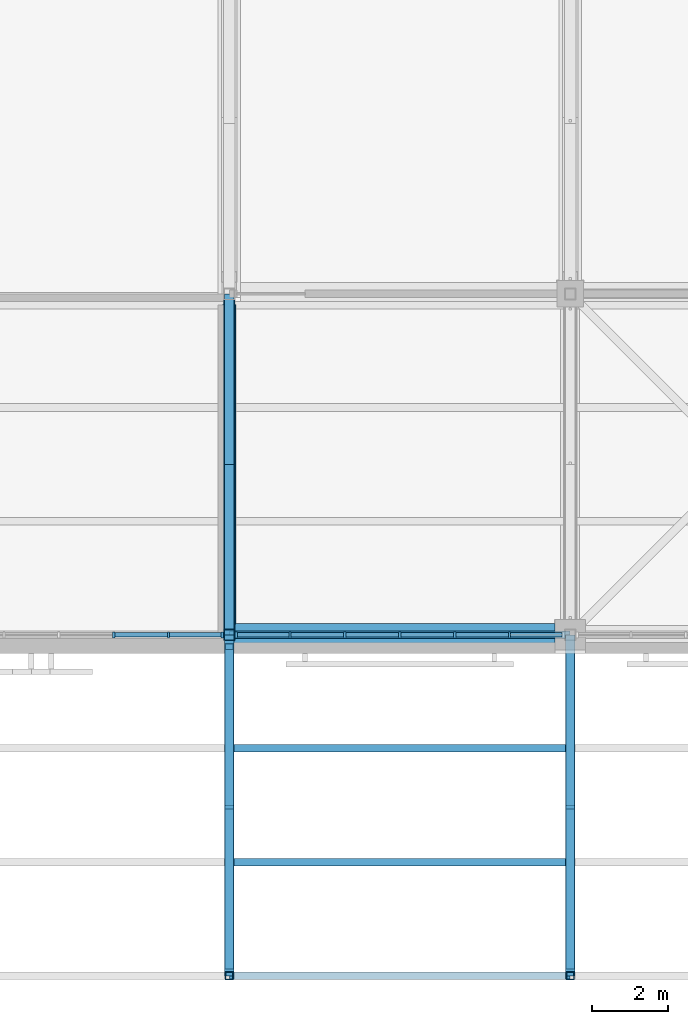
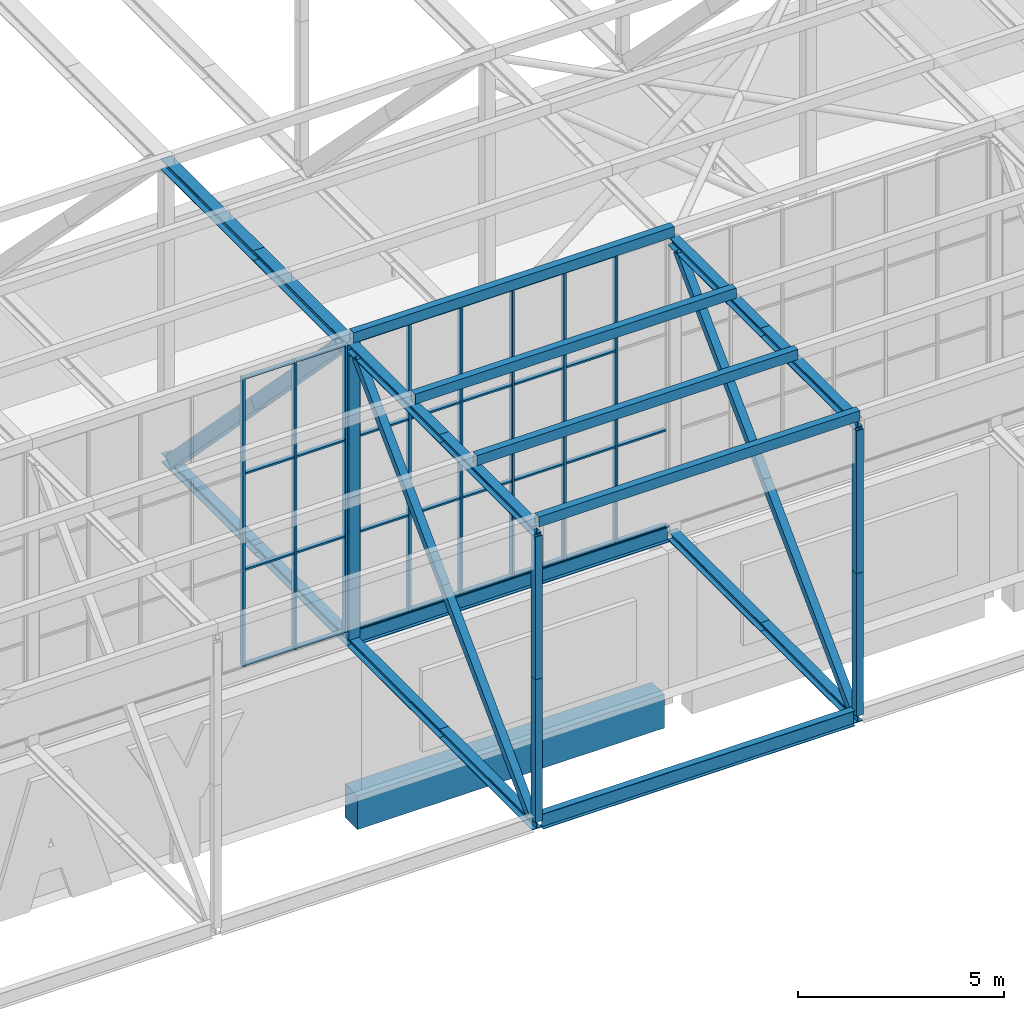
# One storey, part 32 of 646: 67 members, 3 beams, 2 elements without a shape of their own.
"""IFC4 building model written with IfcOpenShell, lengths in metres."""

from ifc_helpers import new_model, si_unit, direction, frame, origin, origin_2d, place, context, subcontext, project, spatial, rectangle, hollow_rectangle, i_section, extrude, material, material_profile, profile_set, type_object, element, aggregate, save


model = new_model("IFC4")

# Units and contexts
model_context = context("Model", 3, precision=1e-05, world=origin(), true_north=direction((0.0, 1.0)))
body_context = subcontext(model_context, "Body", "Model", "MODEL_VIEW")
ifc_project = project(units=[si_unit("LENGTHUNIT", "METRE"), si_unit("AREAUNIT", "SQUARE_METRE"), si_unit("VOLUMEUNIT", "CUBIC_METRE"), si_unit("PLANEANGLEUNIT", "RADIAN"), si_unit("MASSUNIT", "GRAM", prefix="KILO")], contexts=[model_context])

# Site, building, storey
site_placement = place(None, origin())
site = spatial("IfcSite", under=ifc_project, at=site_placement, CompositionType="ELEMENT")
building_placement = place(site_placement, origin())
building = spatial("IfcBuilding", under=site, at=building_placement, Name="Silverbay Arena", CompositionType="ELEMENT")
storey_placement = place(building_placement, frame((0.0, 0.0, 33.5)))
storey = spatial("IfcBuildingStorey", under=building, at=storey_placement, Name="L05", CompositionType="ELEMENT", Elevation=33.5)

# Members
ifc_material_1 = material(Name="Steel S355", Category="steel")
ifc_material_profile_1 = material_profile(ifc_material_1, i_section(OverallWidth=0.2587890625, OverallDepth=0.2666015625, WebThickness=0.0126953125, FlangeThickness=0.0205078125, at=origin_2d()), Name="UC 254x254x107")
ifc_profile_set_1 = profile_set([ifc_material_profile_1], Name="Steel S355")
member_type_1 = type_object("IfcMemberType", Name="Main-span bottom chord UC 254x254x107", PredefinedType="CHORD", material=ifc_profile_set_1)
for number, where, z_axis, x_axis, name in (
    (1, (117.0, 9.0, 4.13330078125), (0.0, 1.0, 0.0), (-1.0, 0.0, 0.0), "ROOF TRUSS 14 bottom chord 01a"),
    (2, (117.0, 13.5, 4.13330078125), (0.0, 1.0, 0.0), (-1.0, 0.0, 0.0), "ROOF TRUSS 14 bottom chord 01b"),
    (3, (117.0, 18.0, 4.13330078125), (0.0, 1.0, 0.0), (-1.0, 0.0, 0.0), "ROOF TRUSS 14 bottom chord 02a"),
    (4, (117.0, 22.5, 4.13330078125), (0.0, 1.0, 0.0), (-1.0, 0.0, 0.0), "ROOF TRUSS 14 bottom chord 02b"),
    (5, (126.0, 9.0, 4.13330078125), (0.0, 1.0, 0.0), (-1.0, 0.0, 0.0), "ROOF TRUSS 15 bottom chord 01a"),
    (6, (126.0, 13.5, 4.13330078125), (0.0, 1.0, 0.0), (-1.0, 0.0, 0.0), "ROOF TRUSS 15 bottom chord 01b"),
):
    element("IfcMember", number, at=place(storey_placement, frame(where, z_axis=z_axis, x_axis=x_axis)), inside=storey, type_object=member_type_1, Name=name, PredefinedType="CHORD", context=body_context, shape_type="SweptSolid", body=[
        extrude(i_section(OverallWidth=0.2587890625, OverallDepth=0.2666015625, WebThickness=0.0126953125, FlangeThickness=0.0205078125, at=origin_2d()), origin(), (0.0, 0.0, 1.0), 4.5),
    ])
ifc_material_2 = material(Name="Steel S355", Category="steel")
ifc_material_profile_2 = material_profile(ifc_material_2, i_section(OverallWidth=0.2587890625, OverallDepth=0.2666015625, WebThickness=0.0126953125, FlangeThickness=0.0205078125, at=origin_2d()), Name="UC 254x254x107")
ifc_profile_set_2 = profile_set([ifc_material_profile_2], Name="Steel S355")
member_type_2 = type_object("IfcMemberType", Name="Main-span top chord UC 254x254x107", PredefinedType="CHORD", material=ifc_profile_set_2)
for number, where, z_axis, x_axis, name in (
    (7, (117.0, 9.0, 12.86669921875), (0.0, 1.0, 0.0), (-1.0, 0.0, 0.0), "ROOF TRUSS 14 top chord 01a"),
    (8, (117.0, 13.5, 12.86669921875), (0.0, 1.0, 0.0), (-1.0, 0.0, 0.0), "ROOF TRUSS 14 top chord 01b"),
    (9, (126.0, 9.0, 12.86669921875), (0.0, 1.0, 0.0), (-1.0, 0.0, 0.0), "ROOF TRUSS 15 top chord 01a"),
    (10, (126.0, 13.5, 12.86669921875), (0.0, 1.0, 0.0), (-1.0, 0.0, 0.0), "ROOF TRUSS 15 top chord 01b"),
):
    element("IfcMember", number, at=place(storey_placement, frame(where, z_axis=z_axis, x_axis=x_axis)), inside=storey, type_object=member_type_2, Name=name, PredefinedType="CHORD", context=body_context, shape_type="SweptSolid", body=[
        extrude(i_section(OverallWidth=0.2587890625, OverallDepth=0.2666015625, WebThickness=0.0126953125, FlangeThickness=0.0205078125, at=origin_2d()), origin(), (0.0, 0.0, 1.0), 4.5),
    ])
ifc_material_3 = material(Name="Steel S355", Category="steel")
ifc_material_profile_3 = material_profile(ifc_material_3, i_section(OverallWidth=0.307373046875, OverallDepth=0.314453125, WebThickness=0.011962890625, FlangeThickness=0.018798828125, at=origin_2d()), Name="UC 305x305x118")
ifc_profile_set_3 = profile_set([ifc_material_profile_3], Name="Steel S355")
member_type_3 = type_object("IfcMemberType", Name="Main-span top chord UC 305x305x118", PredefinedType="CHORD", material=ifc_profile_set_3)
for number, where, z_axis, x_axis, name in (
    (11, (117.0, 18.0, 12.8427734375), (0.0, 1.0, 0.0), (-1.0, 0.0, 0.0), "ROOF TRUSS 14 top chord 02a"),
    (12, (117.0, 22.5, 12.8427734375), (0.0, 1.0, 0.0), (-1.0, 0.0, 0.0), "ROOF TRUSS 14 top chord 02b"),
):
    element("IfcMember", number, at=place(storey_placement, frame(where, z_axis=z_axis, x_axis=x_axis)), inside=storey, type_object=member_type_3, Name=name, PredefinedType="CHORD", context=body_context, shape_type="SweptSolid", body=[
        extrude(i_section(OverallWidth=0.307373046875, OverallDepth=0.314453125, WebThickness=0.011962890625, FlangeThickness=0.018798828125, at=origin_2d()), origin(), (0.0, 0.0, 1.0), 4.5),
    ])
ifc_material_4 = material(Name="Steel S355", Category="steel")
ifc_material_profile_4 = material_profile(ifc_material_4, hollow_rectangle(XDim=0.219970703125, YDim=0.219970703125, WallThickness=0.008056640625, at=origin_2d()), Name="SHS 220x220x8")
ifc_profile_set_4 = profile_set([ifc_material_profile_4], Name="Steel S355")
member_type_4 = type_object("IfcMemberType", Name="Main-span truss diagonal SHS 220x220x8", PredefinedType="BRACE", material=ifc_profile_set_4)
member_1_placement = place(storey_placement, frame((117.0, 17.689453125, 12.7333984375), z_axis=(0.0, -0.70551102507, -0.708698944196), x_axis=(1.0, 0.0, 0.0)))
element("IfcMember", 13, at=member_1_placement, inside=storey, type_object=member_type_4, Name="ROOF TRUSS 14 diagonal 01a", PredefinedType="BRACE", context=body_context, shape_type="SweptSolid", body=[
    extrude(hollow_rectangle(XDim=0.219970703125, YDim=0.219970703125, WallThickness=0.008056640625, at=origin_2d()), origin(), (0.0, 0.0, 1.0), 5.973388671875),
])
member_2_placement = place(storey_placement, frame((117.0, 13.47509765625, 8.5), z_axis=(0.0, -0.705531551692, -0.708678509317), x_axis=(1.0, 0.0, 0.0)))
element("IfcMember", 14, at=member_2_placement, inside=storey, type_object=member_type_4, Name="ROOF TRUSS 14 diagonal 01b", PredefinedType="BRACE", context=body_context, shape_type="SweptSolid", body=[
    extrude(hollow_rectangle(XDim=0.219970703125, YDim=0.219970703125, WallThickness=0.008056640625, at=origin_2d()), origin(), (0.0, 0.0, 1.0), 5.9736328125),
])
member_3_placement = place(storey_placement, frame((126.0, 17.689453125, 12.7333984375), z_axis=(0.0, -0.70551102507, -0.708698944196), x_axis=(1.0, 0.0, 0.0)))
element("IfcMember", 15, at=member_3_placement, inside=storey, type_object=member_type_4, Name="ROOF TRUSS 15 diagonal 01a", PredefinedType="BRACE", context=body_context, shape_type="SweptSolid", body=[
    extrude(hollow_rectangle(XDim=0.219970703125, YDim=0.219970703125, WallThickness=0.008056640625, at=origin_2d()), origin(), (0.0, 0.0, 1.0), 5.973388671875),
])
member_4_placement = place(storey_placement, frame((126.0, 13.47509765625, 8.5), z_axis=(0.0, -0.705531551692, -0.708678509317), x_axis=(1.0, 0.0, 0.0)))
element("IfcMember", 16, at=member_4_placement, inside=storey, type_object=member_type_4, Name="ROOF TRUSS 15 diagonal 01b", PredefinedType="BRACE", context=body_context, shape_type="SweptSolid", body=[
    extrude(hollow_rectangle(XDim=0.219970703125, YDim=0.219970703125, WallThickness=0.008056640625, at=origin_2d()), origin(), (0.0, 0.0, 1.0), 5.9736328125),
])
ifc_material_5 = material(Name="Steel S355", Category="steel")
ifc_material_profile_5 = material_profile(ifc_material_5, hollow_rectangle(XDim=0.35009765625, YDim=0.35009765625, WallThickness=0.01611328125, at=origin_2d()), Name="SHS 350x350x16")
ifc_profile_set_5 = profile_set([ifc_material_profile_5], Name="Steel S355")
member_type_5 = type_object("IfcMemberType", Name="Main-span truss diagonal SHS 350x350x16", PredefinedType="BRACE", material=ifc_profile_set_5)
for number, where, z_axis, x_axis, name in (
    (17, (117.0, 18.40625, 12.685546875), (0.0, 0.697184071327, -0.716892161129), (-1.0, 0.0, 0.0), "ROOF TRUSS 14 diagonal 02a"),
    (18, (117.0, 22.5, 8.47607421875), (0.0, 0.697184071327, -0.716892161129), (-1.0, 0.0, 0.0), "ROOF TRUSS 14 diagonal 02b"),
):
    element("IfcMember", number, at=place(storey_placement, frame(where, z_axis=z_axis, x_axis=x_axis)), inside=storey, type_object=member_type_5, Name=name, PredefinedType="BRACE", context=body_context, shape_type="SweptSolid", body=[
        extrude(hollow_rectangle(XDim=0.35009765625, YDim=0.35009765625, WallThickness=0.01611328125, at=origin_2d()), origin(), (0.0, 0.0, 1.0), 5.871826171875),
    ])
ifc_material_6 = material(Name="Steel S355", Category="steel")
ifc_material_profile_6 = material_profile(ifc_material_6, hollow_rectangle(XDim=0.199951171875, YDim=0.199951171875, WallThickness=0.008056640625, at=origin_2d()), Name="SHS 200x200x8")
ifc_profile_set_6 = profile_set([ifc_material_profile_6], Name="Steel S355")
member_type_6 = type_object("IfcMemberType", Name="Main-span truss vertical SHS 200x200x8", PredefinedType="STRUT", material=ifc_profile_set_6)
for number, where, z_axis, x_axis, name in (
    (19, (117.0, 9.0, 4.2666015625), (0.0, 0.0, 1.0), (1.0, 0.0, 0.0), "ROOF TRUSS 14 vertical 01a"),
    (20, (117.0, 9.0, 8.5), (0.0, 0.0, 1.0), (1.0, 0.0, 0.0), "ROOF TRUSS 14 vertical 01b"),
    (21, (126.0, 9.0, 4.2666015625), (0.0, 0.0, 1.0), (1.0, 0.0, 0.0), "ROOF TRUSS 15 vertical 01a"),
    (22, (126.0, 9.0, 8.5), (0.0, 0.0, 1.0), (1.0, 0.0, 0.0), "ROOF TRUSS 15 vertical 01b"),
):
    element("IfcMember", number, at=place(storey_placement, frame(where, z_axis=z_axis, x_axis=x_axis)), inside=storey, type_object=member_type_6, Name=name, PredefinedType="STRUT", context=body_context, shape_type="SweptSolid", body=[
        extrude(hollow_rectangle(XDim=0.199951171875, YDim=0.199951171875, WallThickness=0.008056640625, at=origin_2d()), origin(), (0.0, 0.0, 1.0), 4.2333984375),
    ])
ifc_material_7 = material(Name="Steel S355", Category="steel")
ifc_material_profile_7 = material_profile(ifc_material_7, hollow_rectangle(XDim=0.300048828125, YDim=0.300048828125, WallThickness=0.012451171875, at=origin_2d()), Name="SHS 300x300x12.5")
ifc_profile_set_7 = profile_set([ifc_material_profile_7], Name="Steel S355")
member_type_7 = type_object("IfcMemberType", Name="Main-span truss vertical SHS 300x300x12.5", PredefinedType="STRUT", material=ifc_profile_set_7)
for number, where, z_axis, x_axis, name in (
    (23, (117.0, 18.0, 4.2666015625), (0.0, 0.0, 1.0), (1.0, 0.0, 0.0), "ROOF TRUSS 14 vertical 02a"),
    (24, (117.0, 18.0, 8.47607421875), (0.0, 0.0, 1.0), (1.0, 0.0, 0.0), "ROOF TRUSS 14 vertical 02b"),
):
    element("IfcMember", number, at=place(storey_placement, frame(where, z_axis=z_axis, x_axis=x_axis)), inside=storey, type_object=member_type_7, Name=name, PredefinedType="STRUT", context=body_context, shape_type="SweptSolid", body=[
        extrude(hollow_rectangle(XDim=0.300048828125, YDim=0.300048828125, WallThickness=0.012451171875, at=origin_2d()), origin(), (0.0, 0.0, 1.0), 4.20947265625),
    ])

# Curtain wall, members
ifc_material_8 = material(Name="Aluminium framed glazing", Category="aluminium")
curtain_wall_type = type_object("IfcCurtainWallType", Name="Curtain wall clerestory 8693 x 8540", PredefinedType="NOTDEFINED", material=ifc_material_8)
curtain_wall_1_placement = place(storey_placement, origin())
curtain_wall_1 = element("IfcCurtainWall", 25, at=curtain_wall_1_placement, inside=storey, type_object=curtain_wall_type, Name="ROOF CLERESTORY CURTAIN WALL south bay 07", PredefinedType="NOTDEFINED")
ifc_material_9 = material(Name="Aluminium", Category="aluminium")
ifc_material_profile_8 = material_profile(ifc_material_9, rectangle(XDim=0.159912109375, YDim=0.06005859375, at=origin_2d()), Name="Mullion 60 x 160")
ifc_profile_set_8 = profile_set([ifc_material_profile_8], Name="Aluminium")
member_type_8 = type_object("IfcMemberType", Name="Mullion 60 x 160", PredefinedType="MULLION", material=ifc_profile_set_8)
member_5_placement = place(storey_placement, frame((113.94873046875, 18.0, 4.4599609375), z_axis=(0.0, 0.0, 1.0), x_axis=(0.0, 1.0, 0.0)))
member_5 = element("IfcMember", 26, at=member_5_placement, type_object=member_type_8, Name="CW55 mullion 5", PredefinedType="MULLION", context=body_context, shape_type="SweptSolid", body=[
    extrude(rectangle(XDim=0.159912109375, YDim=0.06005859375, at=origin_2d()), origin(), (0.0, 0.0, 1.0), 8.5400390625),
])
member_6_placement = place(storey_placement, frame((115.3974609375, 18.0, 4.4599609375), z_axis=(0.0, 0.0, 1.0), x_axis=(0.0, 1.0, 0.0)))
member_6 = element("IfcMember", 27, at=member_6_placement, type_object=member_type_8, Name="CW55 mullion 6", PredefinedType="MULLION", context=body_context, shape_type="SweptSolid", body=[
    extrude(rectangle(XDim=0.159912109375, YDim=0.06005859375, at=origin_2d()), origin(), (0.0, 0.0, 1.0), 8.5400390625),
])
member_7_placement = place(storey_placement, frame((116.81640625, 18.0, 4.4599609375), z_axis=(0.0, 0.0, 1.0), x_axis=(0.0, 1.0, 0.0)))
member_7 = element("IfcMember", 28, at=member_7_placement, type_object=member_type_8, Name="CW55 mullion 7", PredefinedType="MULLION", context=body_context, shape_type="SweptSolid", body=[
    extrude(rectangle(XDim=0.159912109375, YDim=0.06005859375, at=origin_2d()), origin(), (0.0, 0.0, 1.0), 8.5400390625),
])

curtain_wall_2_placement = place(storey_placement, origin())
curtain_wall_2 = element("IfcCurtainWall", 29, at=curtain_wall_2_placement, inside=storey, type_object=curtain_wall_type, Name="ROOF CLERESTORY CURTAIN WALL south bay 08", PredefinedType="NOTDEFINED")
member_8_placement = place(storey_placement, frame((117.18359375, 18.0, 4.4599609375), z_axis=(0.0, 0.0, 1.0), x_axis=(0.0, 1.0, 0.0)))
member_8 = element("IfcMember", 30, at=member_8_placement, type_object=member_type_8, Name="CW55 mullion 1", PredefinedType="MULLION", context=body_context, shape_type="SweptSolid", body=[
    extrude(rectangle(XDim=0.159912109375, YDim=0.06005859375, at=origin_2d()), origin(), (0.0, 0.0, 1.0), 8.5400390625),
])
member_9_placement = place(storey_placement, frame((118.6025390625, 18.0, 4.4599609375), z_axis=(0.0, 0.0, 1.0), x_axis=(0.0, 1.0, 0.0)))
member_9 = element("IfcMember", 31, at=member_9_placement, type_object=member_type_8, Name="CW55 mullion 2", PredefinedType="MULLION", context=body_context, shape_type="SweptSolid", body=[
    extrude(rectangle(XDim=0.159912109375, YDim=0.06005859375, at=origin_2d()), origin(), (0.0, 0.0, 1.0), 8.5400390625),
])
member_10_placement = place(storey_placement, frame((120.05126953125, 18.0, 4.4599609375), z_axis=(0.0, 0.0, 1.0), x_axis=(0.0, 1.0, 0.0)))
member_10 = element("IfcMember", 32, at=member_10_placement, type_object=member_type_8, Name="CW55 mullion 3", PredefinedType="MULLION", context=body_context, shape_type="SweptSolid", body=[
    extrude(rectangle(XDim=0.159912109375, YDim=0.06005859375, at=origin_2d()), origin(), (0.0, 0.0, 1.0), 8.5400390625),
])
member_11_placement = place(storey_placement, frame((121.5, 18.0, 4.4599609375), z_axis=(0.0, 0.0, 1.0), x_axis=(0.0, 1.0, 0.0)))
member_11 = element("IfcMember", 33, at=member_11_placement, type_object=member_type_8, Name="CW55 mullion 4", PredefinedType="MULLION", context=body_context, shape_type="SweptSolid", body=[
    extrude(rectangle(XDim=0.159912109375, YDim=0.06005859375, at=origin_2d()), origin(), (0.0, 0.0, 1.0), 8.5400390625),
])
member_12_placement = place(storey_placement, frame((122.94873046875, 18.0, 4.4599609375), z_axis=(0.0, 0.0, 1.0), x_axis=(0.0, 1.0, 0.0)))
member_12 = element("IfcMember", 34, at=member_12_placement, type_object=member_type_8, Name="CW55 mullion 5", PredefinedType="MULLION", context=body_context, shape_type="SweptSolid", body=[
    extrude(rectangle(XDim=0.159912109375, YDim=0.06005859375, at=origin_2d()), origin(), (0.0, 0.0, 1.0), 8.5400390625),
])
member_13_placement = place(storey_placement, frame((124.3974609375, 18.0, 4.4599609375), z_axis=(0.0, 0.0, 1.0), x_axis=(0.0, 1.0, 0.0)))
member_13 = element("IfcMember", 35, at=member_13_placement, type_object=member_type_8, Name="CW55 mullion 6", PredefinedType="MULLION", context=body_context, shape_type="SweptSolid", body=[
    extrude(rectangle(XDim=0.159912109375, YDim=0.06005859375, at=origin_2d()), origin(), (0.0, 0.0, 1.0), 8.5400390625),
])

# Members
ifc_material_10 = material(Name="Steel S355", Category="steel")
ifc_material_profile_9 = material_profile(ifc_material_10, hollow_rectangle(XDim=0.199951171875, YDim=0.300048828125, WallThickness=0.008056640625, at=origin_2d()), Name="RHS 300x200x8")
ifc_profile_set_9 = profile_set([ifc_material_profile_9], Name="Steel S355")
member_type_9 = type_object("IfcMemberType", Name="Purlin RHS 300x200x8", PredefinedType="PURLIN", material=ifc_profile_set_9)
for number, where, z_axis, x_axis, name in (
    (36, (117.0, 9.0, 13.14990234375), (1.0, 0.0, 0.0), (0.0, 1.0, 0.0), "ROOF PURLIN 14-15 line 01"),
    (37, (117.0, 12.0, 13.14990234375), (1.0, 0.0, 0.0), (0.0, 1.0, 0.0), "ROOF PURLIN 14-15 line 02"),
    (38, (117.0, 15.0, 13.14990234375), (1.0, 0.0, 0.0), (0.0, 1.0, 0.0), "ROOF PURLIN 14-15 line 03"),
    (39, (117.0, 18.0, 13.14990234375), (1.0, 0.0, 0.0), (0.0, 1.0, 0.0), "ROOF PURLIN 14-15 line 04"),
):
    element("IfcMember", number, at=place(storey_placement, frame(where, z_axis=z_axis, x_axis=x_axis)), inside=storey, type_object=member_type_9, Name=name, PredefinedType="PURLIN", context=body_context, shape_type="SweptSolid", body=[
        extrude(hollow_rectangle(XDim=0.199951171875, YDim=0.300048828125, WallThickness=0.008056640625, at=origin_2d()), origin(), (0.0, 0.0, 1.0), 9.0),
    ])

# Beams
ifc_material_11 = material(Name="Concrete Grade C45", Category="concrete")
ifc_material_profile_10 = material_profile(ifc_material_11, rectangle(XDim=0.60009765625, YDim=1.0, at=origin_2d()), Name="RC 600x1000")
ifc_profile_set_10 = profile_set([ifc_material_profile_10], Name="Concrete Grade C45")
beam_type_1 = type_object("IfcBeamType", Name="RC beam 600x1000", PredefinedType="BEAM", material=ifc_profile_set_10)
beam_1_placement = place(storey_placement, frame((117.0, 18.0, -0.800048828125), z_axis=(1.0, 0.0, 0.0), x_axis=(0.0, 1.0, 0.0)))
element("IfcBeam", 40, at=beam_1_placement, inside=storey, type_object=beam_type_1, Name="Floor beam L05 002", PredefinedType="BEAM", context=body_context, shape_type="SweptSolid", body=[
    extrude(rectangle(XDim=0.60009765625, YDim=1.0, at=origin_2d()), origin(), (0.0, 0.0, 1.0), 8.60009765625),
])
ifc_material_12 = material(Name="Steel S355", Category="steel")
ifc_material_profile_11 = material_profile(ifc_material_12, i_section(OverallWidth=0.18994140625, OverallDepth=0.453369140625, WebThickness=0.008544921875, FlangeThickness=0.0126953125, at=origin_2d()), Name="UB 457x191x67")
ifc_profile_set_11 = profile_set([ifc_material_profile_11], Name="Steel S355")
beam_type_2 = type_object("IfcBeamType", Name="Ring beam UB 457x191x67", PredefinedType="BEAM", material=ifc_profile_set_11)
beam_2_placement = place(storey_placement, frame((117.12939453125, 9.0, 4.226806640625), z_axis=(1.0, 0.0, 0.0), x_axis=(0.0, 1.0, 0.0)))
element("IfcBeam", 41, at=beam_2_placement, inside=storey, type_object=beam_type_2, Name="RING BEAM south edge 14-15", PredefinedType="BEAM", context=body_context, shape_type="SweptSolid", body=[
    extrude(i_section(OverallWidth=0.18994140625, OverallDepth=0.453369140625, WebThickness=0.008544921875, FlangeThickness=0.0126953125, at=origin_2d()), origin(), (0.0, 0.0, 1.0), 8.7412109375),
])
ifc_material_13 = material(Name="Steel S355", Category="steel")
ifc_material_profile_12 = material_profile(ifc_material_13, i_section(OverallWidth=0.19140625, OverallDepth=0.4599609375, WebThickness=0.010009765625, FlangeThickness=0.01611328125, at=origin_2d()), Name="UB 457x191x82")
ifc_profile_set_12 = profile_set([ifc_material_profile_12], Name="Steel S355")
beam_type_3 = type_object("IfcBeamType", Name="Ring beam UB 457x191x82", PredefinedType="BEAM", material=ifc_profile_set_12)
beam_3_placement = place(storey_placement, frame((117.12939453125, 18.0, 4.22998046875), z_axis=(1.0, 0.0, 0.0), x_axis=(0.0, 1.0, 0.0)))
element("IfcBeam", 42, at=beam_3_placement, inside=storey, type_object=beam_type_3, Name="RING BEAM south facade 14-15", PredefinedType="BEAM", context=body_context, shape_type="SweptSolid", body=[
    extrude(i_section(OverallWidth=0.19140625, OverallDepth=0.4599609375, WebThickness=0.010009765625, FlangeThickness=0.01611328125, at=origin_2d()), origin(), (0.0, 0.0, 1.0), 8.7412109375),
])

# Member
ifc_material_14 = material(Name="Aluminium", Category="aluminium")
ifc_material_profile_13 = material_profile(ifc_material_14, rectangle(XDim=0.1201171875, YDim=0.050048828125, at=origin_2d()), Name="Transom 50 x 120")
ifc_profile_set_13 = profile_set([ifc_material_profile_13], Name="Aluminium")
member_type_10 = type_object("IfcMemberType", Name="Transom 50 x 120", PredefinedType="USERDEFINED", material=ifc_profile_set_13)
member_14_placement = place(storey_placement, frame((113.978759765625, 18.0, 4.485107421875), z_axis=(1.0, 0.0, 0.0), x_axis=(0.0, 1.0, 0.0)))
member_14 = element("IfcMember", 43, at=member_14_placement, type_object=member_type_10, Name="CW55 transom 5.1", ObjectType="TRANSOM", PredefinedType="USERDEFINED", context=body_context, shape_type="SweptSolid", body=[
    extrude(rectangle(XDim=0.1201171875, YDim=0.050048828125, at=origin_2d()), origin(), (0.0, 0.0, 1.0), 1.388671875),
])

member_15_placement = place(storey_placement, frame((113.978759765625, 18.0, 7.306640625), z_axis=(1.0, 0.0, 0.0), x_axis=(0.0, 1.0, 0.0)))
member_15 = element("IfcMember", 44, at=member_15_placement, type_object=member_type_10, Name="CW55 transom 5.2", ObjectType="TRANSOM", PredefinedType="USERDEFINED", context=body_context, shape_type="SweptSolid", body=[
    extrude(rectangle(XDim=0.1201171875, YDim=0.050048828125, at=origin_2d()), origin(), (0.0, 0.0, 1.0), 1.388671875),
])

member_16_placement = place(storey_placement, frame((113.978759765625, 18.0, 10.1533203125), z_axis=(1.0, 0.0, 0.0), x_axis=(0.0, 1.0, 0.0)))
member_16 = element("IfcMember", 45, at=member_16_placement, type_object=member_type_10, Name="CW55 transom 5.3", ObjectType="TRANSOM", PredefinedType="USERDEFINED", context=body_context, shape_type="SweptSolid", body=[
    extrude(rectangle(XDim=0.1201171875, YDim=0.050048828125, at=origin_2d()), origin(), (0.0, 0.0, 1.0), 1.388671875),
])

member_17_placement = place(storey_placement, frame((113.978759765625, 18.0, 12.97509765625), z_axis=(1.0, 0.0, 0.0), x_axis=(0.0, 1.0, 0.0)))
member_17 = element("IfcMember", 46, at=member_17_placement, type_object=member_type_10, Name="CW55 transom 5.4", ObjectType="TRANSOM", PredefinedType="USERDEFINED", context=body_context, shape_type="SweptSolid", body=[
    extrude(rectangle(XDim=0.1201171875, YDim=0.050048828125, at=origin_2d()), origin(), (0.0, 0.0, 1.0), 1.388671875),
])

member_18_placement = place(storey_placement, frame((115.427490234375, 18.0, 4.485107421875), z_axis=(1.0, 0.0, 0.0), x_axis=(0.0, 1.0, 0.0)))
member_18 = element("IfcMember", 47, at=member_18_placement, type_object=member_type_10, Name="CW55 transom 6.1", ObjectType="TRANSOM", PredefinedType="USERDEFINED", context=body_context, shape_type="SweptSolid", body=[
    extrude(rectangle(XDim=0.1201171875, YDim=0.050048828125, at=origin_2d()), origin(), (0.0, 0.0, 1.0), 1.35888671875),
])

member_19_placement = place(storey_placement, frame((115.427490234375, 18.0, 7.306640625), z_axis=(1.0, 0.0, 0.0), x_axis=(0.0, 1.0, 0.0)))
member_19 = element("IfcMember", 48, at=member_19_placement, type_object=member_type_10, Name="CW55 transom 6.2", ObjectType="TRANSOM", PredefinedType="USERDEFINED", context=body_context, shape_type="SweptSolid", body=[
    extrude(rectangle(XDim=0.1201171875, YDim=0.050048828125, at=origin_2d()), origin(), (0.0, 0.0, 1.0), 1.35888671875),
])

member_20_placement = place(storey_placement, frame((115.427490234375, 18.0, 10.1533203125), z_axis=(1.0, 0.0, 0.0), x_axis=(0.0, 1.0, 0.0)))
member_20 = element("IfcMember", 49, at=member_20_placement, type_object=member_type_10, Name="CW55 transom 6.3", ObjectType="TRANSOM", PredefinedType="USERDEFINED", context=body_context, shape_type="SweptSolid", body=[
    extrude(rectangle(XDim=0.1201171875, YDim=0.050048828125, at=origin_2d()), origin(), (0.0, 0.0, 1.0), 1.35888671875),
])

member_21_placement = place(storey_placement, frame((115.427490234375, 18.0, 12.97509765625), z_axis=(1.0, 0.0, 0.0), x_axis=(0.0, 1.0, 0.0)))
member_21 = element("IfcMember", 50, at=member_21_placement, type_object=member_type_10, Name="CW55 transom 6.4", ObjectType="TRANSOM", PredefinedType="USERDEFINED", context=body_context, shape_type="SweptSolid", body=[
    extrude(rectangle(XDim=0.1201171875, YDim=0.050048828125, at=origin_2d()), origin(), (0.0, 0.0, 1.0), 1.35888671875),
])

aggregate(curtain_wall_1, [member_5, member_6, member_7, member_14, member_15, member_16, member_17, member_18, member_19, member_20, member_21])

member_22_placement = place(storey_placement, frame((117.213623046875, 18.0, 4.485107421875), z_axis=(1.0, 0.0, 0.0), x_axis=(0.0, 1.0, 0.0)))
member_22 = element("IfcMember", 51, at=member_22_placement, type_object=member_type_10, Name="CW55 transom 1.1", ObjectType="TRANSOM", PredefinedType="USERDEFINED", context=body_context, shape_type="SweptSolid", body=[
    extrude(rectangle(XDim=0.1201171875, YDim=0.050048828125, at=origin_2d()), origin(), (0.0, 0.0, 1.0), 1.35888671875),
])

member_23_placement = place(storey_placement, frame((117.213623046875, 18.0, 7.306640625), z_axis=(1.0, 0.0, 0.0), x_axis=(0.0, 1.0, 0.0)))
member_23 = element("IfcMember", 52, at=member_23_placement, type_object=member_type_10, Name="CW55 transom 1.2", ObjectType="TRANSOM", PredefinedType="USERDEFINED", context=body_context, shape_type="SweptSolid", body=[
    extrude(rectangle(XDim=0.1201171875, YDim=0.050048828125, at=origin_2d()), origin(), (0.0, 0.0, 1.0), 1.35888671875),
])

member_24_placement = place(storey_placement, frame((117.213623046875, 18.0, 10.1533203125), z_axis=(1.0, 0.0, 0.0), x_axis=(0.0, 1.0, 0.0)))
member_24 = element("IfcMember", 53, at=member_24_placement, type_object=member_type_10, Name="CW55 transom 1.3", ObjectType="TRANSOM", PredefinedType="USERDEFINED", context=body_context, shape_type="SweptSolid", body=[
    extrude(rectangle(XDim=0.1201171875, YDim=0.050048828125, at=origin_2d()), origin(), (0.0, 0.0, 1.0), 1.35888671875),
])

member_25_placement = place(storey_placement, frame((117.213623046875, 18.0, 12.97509765625), z_axis=(1.0, 0.0, 0.0), x_axis=(0.0, 1.0, 0.0)))
member_25 = element("IfcMember", 54, at=member_25_placement, type_object=member_type_10, Name="CW55 transom 1.4", ObjectType="TRANSOM", PredefinedType="USERDEFINED", context=body_context, shape_type="SweptSolid", body=[
    extrude(rectangle(XDim=0.1201171875, YDim=0.050048828125, at=origin_2d()), origin(), (0.0, 0.0, 1.0), 1.35888671875),
])

member_26_placement = place(storey_placement, frame((118.632568359375, 18.0, 4.485107421875), z_axis=(1.0, 0.0, 0.0), x_axis=(0.0, 1.0, 0.0)))
member_26 = element("IfcMember", 55, at=member_26_placement, type_object=member_type_10, Name="CW55 transom 2.1", ObjectType="TRANSOM", PredefinedType="USERDEFINED", context=body_context, shape_type="SweptSolid", body=[
    extrude(rectangle(XDim=0.1201171875, YDim=0.050048828125, at=origin_2d()), origin(), (0.0, 0.0, 1.0), 1.388671875),
])

member_27_placement = place(storey_placement, frame((118.632568359375, 18.0, 7.306640625), z_axis=(1.0, 0.0, 0.0), x_axis=(0.0, 1.0, 0.0)))
member_27 = element("IfcMember", 56, at=member_27_placement, type_object=member_type_10, Name="CW55 transom 2.2", ObjectType="TRANSOM", PredefinedType="USERDEFINED", context=body_context, shape_type="SweptSolid", body=[
    extrude(rectangle(XDim=0.1201171875, YDim=0.050048828125, at=origin_2d()), origin(), (0.0, 0.0, 1.0), 1.388671875),
])

member_28_placement = place(storey_placement, frame((118.632568359375, 18.0, 10.1533203125), z_axis=(1.0, 0.0, 0.0), x_axis=(0.0, 1.0, 0.0)))
member_28 = element("IfcMember", 57, at=member_28_placement, type_object=member_type_10, Name="CW55 transom 2.3", ObjectType="TRANSOM", PredefinedType="USERDEFINED", context=body_context, shape_type="SweptSolid", body=[
    extrude(rectangle(XDim=0.1201171875, YDim=0.050048828125, at=origin_2d()), origin(), (0.0, 0.0, 1.0), 1.388671875),
])

member_29_placement = place(storey_placement, frame((118.632568359375, 18.0, 12.97509765625), z_axis=(1.0, 0.0, 0.0), x_axis=(0.0, 1.0, 0.0)))
member_29 = element("IfcMember", 58, at=member_29_placement, type_object=member_type_10, Name="CW55 transom 2.4", ObjectType="TRANSOM", PredefinedType="USERDEFINED", context=body_context, shape_type="SweptSolid", body=[
    extrude(rectangle(XDim=0.1201171875, YDim=0.050048828125, at=origin_2d()), origin(), (0.0, 0.0, 1.0), 1.388671875),
])

member_30_placement = place(storey_placement, frame((120.081298828125, 18.0, 4.485107421875), z_axis=(1.0, 0.0, 0.0), x_axis=(0.0, 1.0, 0.0)))
member_30 = element("IfcMember", 59, at=member_30_placement, type_object=member_type_10, Name="CW55 transom 3.1", ObjectType="TRANSOM", PredefinedType="USERDEFINED", context=body_context, shape_type="SweptSolid", body=[
    extrude(rectangle(XDim=0.1201171875, YDim=0.050048828125, at=origin_2d()), origin(), (0.0, 0.0, 1.0), 1.388671875),
])

member_31_placement = place(storey_placement, frame((120.081298828125, 18.0, 7.306640625), z_axis=(1.0, 0.0, 0.0), x_axis=(0.0, 1.0, 0.0)))
member_31 = element("IfcMember", 60, at=member_31_placement, type_object=member_type_10, Name="CW55 transom 3.2", ObjectType="TRANSOM", PredefinedType="USERDEFINED", context=body_context, shape_type="SweptSolid", body=[
    extrude(rectangle(XDim=0.1201171875, YDim=0.050048828125, at=origin_2d()), origin(), (0.0, 0.0, 1.0), 1.388671875),
])

member_32_placement = place(storey_placement, frame((120.081298828125, 18.0, 10.1533203125), z_axis=(1.0, 0.0, 0.0), x_axis=(0.0, 1.0, 0.0)))
member_32 = element("IfcMember", 61, at=member_32_placement, type_object=member_type_10, Name="CW55 transom 3.3", ObjectType="TRANSOM", PredefinedType="USERDEFINED", context=body_context, shape_type="SweptSolid", body=[
    extrude(rectangle(XDim=0.1201171875, YDim=0.050048828125, at=origin_2d()), origin(), (0.0, 0.0, 1.0), 1.388671875),
])

member_33_placement = place(storey_placement, frame((120.081298828125, 18.0, 12.97509765625), z_axis=(1.0, 0.0, 0.0), x_axis=(0.0, 1.0, 0.0)))
member_33 = element("IfcMember", 62, at=member_33_placement, type_object=member_type_10, Name="CW55 transom 3.4", ObjectType="TRANSOM", PredefinedType="USERDEFINED", context=body_context, shape_type="SweptSolid", body=[
    extrude(rectangle(XDim=0.1201171875, YDim=0.050048828125, at=origin_2d()), origin(), (0.0, 0.0, 1.0), 1.388671875),
])

member_34_placement = place(storey_placement, frame((121.530029296875, 18.0, 4.485107421875), z_axis=(1.0, 0.0, 0.0), x_axis=(0.0, 1.0, 0.0)))
member_34 = element("IfcMember", 63, at=member_34_placement, type_object=member_type_10, Name="CW55 transom 4.1", ObjectType="TRANSOM", PredefinedType="USERDEFINED", context=body_context, shape_type="SweptSolid", body=[
    extrude(rectangle(XDim=0.1201171875, YDim=0.050048828125, at=origin_2d()), origin(), (0.0, 0.0, 1.0), 1.388671875),
])

member_35_placement = place(storey_placement, frame((121.530029296875, 18.0, 7.306640625), z_axis=(1.0, 0.0, 0.0), x_axis=(0.0, 1.0, 0.0)))
member_35 = element("IfcMember", 64, at=member_35_placement, type_object=member_type_10, Name="CW55 transom 4.2", ObjectType="TRANSOM", PredefinedType="USERDEFINED", context=body_context, shape_type="SweptSolid", body=[
    extrude(rectangle(XDim=0.1201171875, YDim=0.050048828125, at=origin_2d()), origin(), (0.0, 0.0, 1.0), 1.388671875),
])

member_36_placement = place(storey_placement, frame((121.530029296875, 18.0, 10.1533203125), z_axis=(1.0, 0.0, 0.0), x_axis=(0.0, 1.0, 0.0)))
member_36 = element("IfcMember", 65, at=member_36_placement, type_object=member_type_10, Name="CW55 transom 4.3", ObjectType="TRANSOM", PredefinedType="USERDEFINED", context=body_context, shape_type="SweptSolid", body=[
    extrude(rectangle(XDim=0.1201171875, YDim=0.050048828125, at=origin_2d()), origin(), (0.0, 0.0, 1.0), 1.388671875),
])

member_37_placement = place(storey_placement, frame((121.530029296875, 18.0, 12.97509765625), z_axis=(1.0, 0.0, 0.0), x_axis=(0.0, 1.0, 0.0)))
member_37 = element("IfcMember", 66, at=member_37_placement, type_object=member_type_10, Name="CW55 transom 4.4", ObjectType="TRANSOM", PredefinedType="USERDEFINED", context=body_context, shape_type="SweptSolid", body=[
    extrude(rectangle(XDim=0.1201171875, YDim=0.050048828125, at=origin_2d()), origin(), (0.0, 0.0, 1.0), 1.388671875),
])

member_38_placement = place(storey_placement, frame((122.978759765625, 18.0, 4.485107421875), z_axis=(1.0, 0.0, 0.0), x_axis=(0.0, 1.0, 0.0)))
member_38 = element("IfcMember", 67, at=member_38_placement, type_object=member_type_10, Name="CW55 transom 5.1", ObjectType="TRANSOM", PredefinedType="USERDEFINED", context=body_context, shape_type="SweptSolid", body=[
    extrude(rectangle(XDim=0.1201171875, YDim=0.050048828125, at=origin_2d()), origin(), (0.0, 0.0, 1.0), 1.388671875),
])

member_39_placement = place(storey_placement, frame((122.978759765625, 18.0, 7.306640625), z_axis=(1.0, 0.0, 0.0), x_axis=(0.0, 1.0, 0.0)))
member_39 = element("IfcMember", 68, at=member_39_placement, type_object=member_type_10, Name="CW55 transom 5.2", ObjectType="TRANSOM", PredefinedType="USERDEFINED", context=body_context, shape_type="SweptSolid", body=[
    extrude(rectangle(XDim=0.1201171875, YDim=0.050048828125, at=origin_2d()), origin(), (0.0, 0.0, 1.0), 1.388671875),
])

member_40_placement = place(storey_placement, frame((122.978759765625, 18.0, 10.1533203125), z_axis=(1.0, 0.0, 0.0), x_axis=(0.0, 1.0, 0.0)))
member_40 = element("IfcMember", 69, at=member_40_placement, type_object=member_type_10, Name="CW55 transom 5.3", ObjectType="TRANSOM", PredefinedType="USERDEFINED", context=body_context, shape_type="SweptSolid", body=[
    extrude(rectangle(XDim=0.1201171875, YDim=0.050048828125, at=origin_2d()), origin(), (0.0, 0.0, 1.0), 1.388671875),
])

member_41_placement = place(storey_placement, frame((122.978759765625, 18.0, 12.97509765625), z_axis=(1.0, 0.0, 0.0), x_axis=(0.0, 1.0, 0.0)))
member_41 = element("IfcMember", 70, at=member_41_placement, type_object=member_type_10, Name="CW55 transom 5.4", ObjectType="TRANSOM", PredefinedType="USERDEFINED", context=body_context, shape_type="SweptSolid", body=[
    extrude(rectangle(XDim=0.1201171875, YDim=0.050048828125, at=origin_2d()), origin(), (0.0, 0.0, 1.0), 1.388671875),
])

member_42_placement = place(storey_placement, frame((124.427490234375, 18.0, 4.485107421875), z_axis=(1.0, 0.0, 0.0), x_axis=(0.0, 1.0, 0.0)))
member_42 = element("IfcMember", 71, at=member_42_placement, type_object=member_type_10, Name="CW55 transom 6.1", ObjectType="TRANSOM", PredefinedType="USERDEFINED", context=body_context, shape_type="SweptSolid", body=[
    extrude(rectangle(XDim=0.1201171875, YDim=0.050048828125, at=origin_2d()), origin(), (0.0, 0.0, 1.0), 1.35888671875),
])

member_43_placement = place(storey_placement, frame((124.427490234375, 18.0, 7.306640625), z_axis=(1.0, 0.0, 0.0), x_axis=(0.0, 1.0, 0.0)))
member_43 = element("IfcMember", 72, at=member_43_placement, type_object=member_type_10, Name="CW55 transom 6.2", ObjectType="TRANSOM", PredefinedType="USERDEFINED", context=body_context, shape_type="SweptSolid", body=[
    extrude(rectangle(XDim=0.1201171875, YDim=0.050048828125, at=origin_2d()), origin(), (0.0, 0.0, 1.0), 1.35888671875),
])

aggregate(curtain_wall_2, [member_8, member_9, member_10, member_11, member_12, member_13, member_22, member_23, member_24, member_25, member_26, member_27, member_28, member_29, member_30, member_31, member_32, member_33, member_34, member_35, member_36, member_37, member_38, member_39, member_40, member_41, member_42, member_43])

save(model, "model.ifc")
